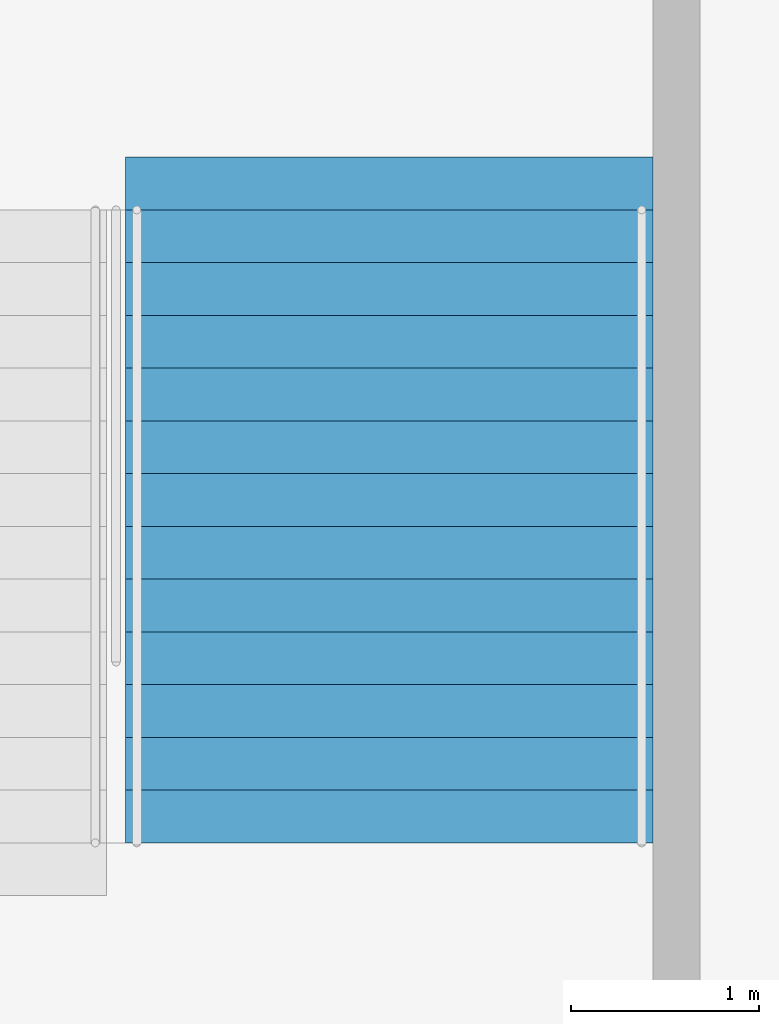
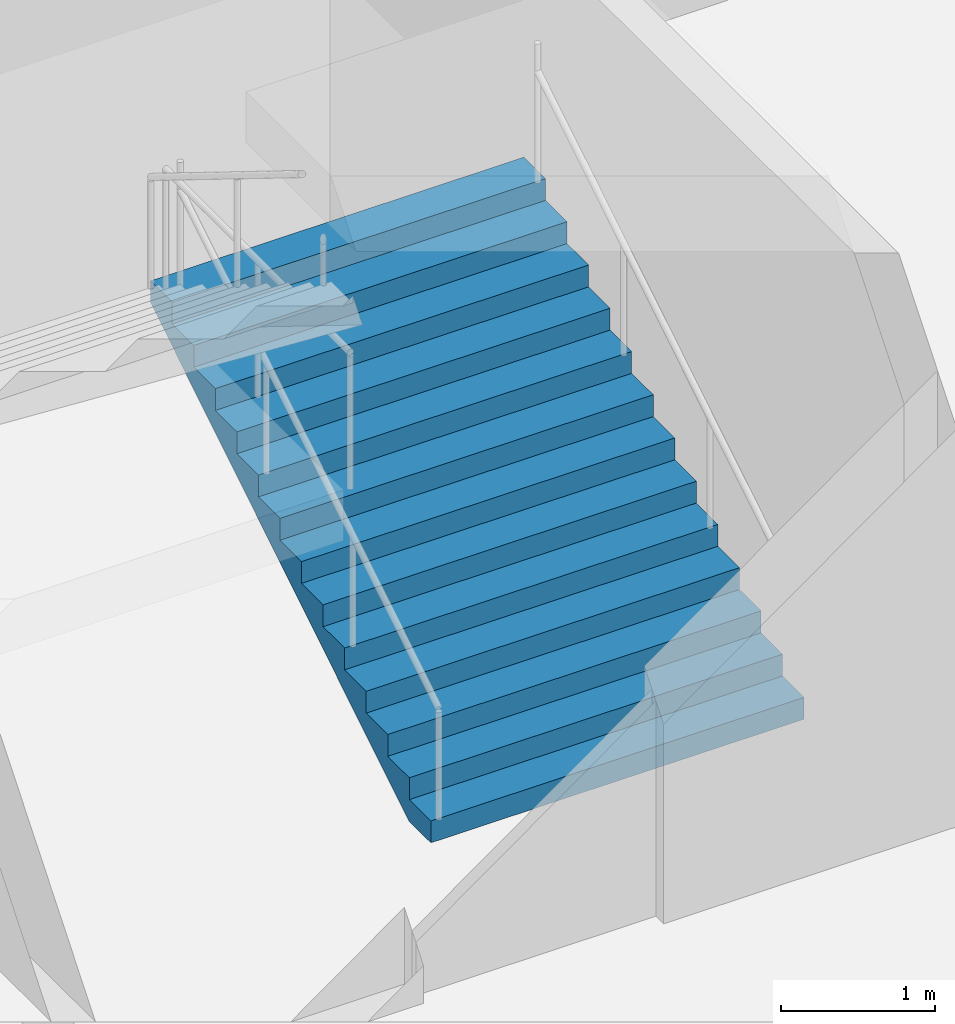
# One storey, part 135 of 175: 1 stair flight, 1 element without a shape of its own.
"""IFC4 building model written with IfcOpenShell, lengths in metres."""

from ifc_helpers import new_model, si_unit, direction, frame, origin, place, context, subcontext, project, spatial, faceted_brep, material, type_object, element, aggregate, save


model = new_model("IFC4")

# Units and contexts
model_context = context("Model", 3, precision=1e-05, world=origin(), true_north=direction((0.0, 1.0)))
body_context = subcontext(model_context, "Body", "Model", "MODEL_VIEW")
ifc_project = project(units=[si_unit("LENGTHUNIT", "METRE"), si_unit("AREAUNIT", "SQUARE_METRE"), si_unit("VOLUMEUNIT", "CUBIC_METRE"), si_unit("PLANEANGLEUNIT", "RADIAN"), si_unit("MASSUNIT", "GRAM", prefix="KILO")], contexts=[model_context])

# Site, building, storey
site_placement = place(None, origin())
site = spatial("IfcSite", under=ifc_project, at=site_placement, CompositionType="ELEMENT")
building_placement = place(site_placement, origin())
building = spatial("IfcBuilding", under=site, at=building_placement, Name="Ogive Plaza Stadium", CompositionType="ELEMENT")
storey_placement = place(building_placement, origin())
storey = spatial("IfcBuildingStorey", under=building, at=storey_placement, Name="L00", CompositionType="ELEMENT", Elevation=0.0)

# Stair, stair flight
ifc_material_1 = material(Name="Concrete C40/50", Category="concrete")
stair_type = type_object("IfcStairType", Name="Exit stair", PredefinedType="STRAIGHT_RUN_STAIR", material=ifc_material_1)
stair_placement = place(storey_placement, origin())
stair = element("IfcStair", 1, at=stair_placement, inside=storey, type_object=stair_type, Name="Exit stair ST34A L00 to L01", PredefinedType="STRAIGHT_RUN_STAIR")
ifc_material_2 = material(Name="Concrete C40/50", Category="concrete")
stair_flight_type = type_object("IfcStairFlightType", Name="Exit stair flight", PredefinedType="STRAIGHT", material=ifc_material_2)
stair_flight_placement = place(storey_placement, frame((-2.375, 94.85009765625, 0.0), z_axis=(0.0, 0.0, 1.0), x_axis=(0.0, 1.0, 0.0)))
stair_flight = element("IfcStairFlight", 2, at=stair_flight_placement, type_object=stair_flight_type, Name="ST34A flight 1", NumberOfRisers=13, NumberOfTreads=12, PredefinedType="STRAIGHT", RiserHeight=0.173076923, TreadLength=0.28, context=body_context, shape_type="Brep", body=[
    faceted_brep([(0.28515625, -1.39990234375, 0.0), (3.639892578125, -1.39990234375, 2.07373046875), (3.639892578125, -1.39990234375, 2.25), (3.360107421875, -1.39990234375, 2.25), (3.360107421875, -1.39990234375, 2.076904296875), (3.080078125, -1.39990234375, 2.076904296875), (3.080078125, -1.39990234375, 1.90380859375), (2.800048828125, -1.39990234375, 1.90380859375), (2.800048828125, -1.39990234375, 1.730712890625), (2.52001953125, -1.39990234375, 1.730712890625), (2.52001953125, -1.39990234375, 1.5576171875), (2.239990234375, -1.39990234375, 1.5576171875), (2.239990234375, -1.39990234375, 1.384521484375), (1.9599609375, -1.39990234375, 1.384521484375), (1.9599609375, -1.39990234375, 1.21142578125), (1.679931640625, -1.39990234375, 1.21142578125), (1.679931640625, -1.39990234375, 1.03857421875), (1.39990234375, -1.39990234375, 1.03857421875), (1.39990234375, -1.39990234375, 0.865478515625), (1.1201171875, -1.39990234375, 0.865478515625), (1.1201171875, -1.39990234375, 0.6923828125), (0.840087890625, -1.39990234375, 0.6923828125), (0.840087890625, -1.39990234375, 0.519287109375), (0.56005859375, -1.39990234375, 0.519287109375), (0.56005859375, -1.39990234375, 0.34619140625), (0.280029296875, -1.39990234375, 0.34619140625), (0.280029296875, -1.39990234375, 0.173095703125), (0.0, -1.39990234375, 0.173095703125), (0.0, -1.39990234375, 0.0), (0.0, 1.39990234375, 0.0), (0.0, 1.39990234375, 0.173095703125), (0.280029296875, 1.39990234375, 0.173095703125), (0.280029296875, 1.39990234375, 0.34619140625), (0.56005859375, 1.39990234375, 0.34619140625), (0.56005859375, 1.39990234375, 0.519287109375), (0.840087890625, 1.39990234375, 0.519287109375), (0.840087890625, 1.39990234375, 0.6923828125), (1.1201171875, 1.39990234375, 0.6923828125), (1.1201171875, 1.39990234375, 0.865478515625), (1.39990234375, 1.39990234375, 0.865478515625), (1.39990234375, 1.39990234375, 1.03857421875), (1.679931640625, 1.39990234375, 1.03857421875), (1.679931640625, 1.39990234375, 1.21142578125), (1.9599609375, 1.39990234375, 1.21142578125), (1.9599609375, 1.39990234375, 1.384521484375), (2.239990234375, 1.39990234375, 1.384521484375), (2.239990234375, 1.39990234375, 1.5576171875), (2.52001953125, 1.39990234375, 1.5576171875), (2.52001953125, 1.39990234375, 1.730712890625), (2.800048828125, 1.39990234375, 1.730712890625), (2.800048828125, 1.39990234375, 1.90380859375), (3.080078125, 1.39990234375, 1.90380859375), (3.080078125, 1.39990234375, 2.076904296875), (3.360107421875, 1.39990234375, 2.076904296875), (3.360107421875, 1.39990234375, 2.25), (3.639892578125, 1.39990234375, 2.25), (3.639892578125, 1.39990234375, 2.07373046875), (0.28515625, 1.39990234375, 0.0), (0.28515625, -1.0888671875, 0.0), (3.639892578125, -1.0888671875, 2.07373046875), (0.28515625, -0.77783203125, 0.0), (3.639892578125, -0.77783203125, 2.07373046875), (0.28515625, -0.466796875, 0.0), (3.639892578125, -0.466796875, 2.07373046875), (0.28515625, -0.155517578125, 0.0), (3.639892578125, -0.155517578125, 2.07373046875), (0.28515625, 0.155517578125, 0.0), (3.639892578125, 0.155517578125, 2.07373046875), (0.28515625, 0.466796875, 0.0), (3.639892578125, 0.466796875, 2.07373046875), (0.28515625, 0.77783203125, 0.0), (3.639892578125, 0.77783203125, 2.07373046875), (0.28515625, 1.0888671875, 0.0), (3.639892578125, 1.0888671875, 2.07373046875), (3.639892578125, -1.0888671875, 2.25), (3.639892578125, -0.77783203125, 2.25), (3.639892578125, -0.466796875, 2.25), (3.639892578125, -0.155517578125, 2.25), (3.639892578125, 0.155517578125, 2.25), (3.639892578125, 0.466796875, 2.25), (3.639892578125, 0.77783203125, 2.25), (3.639892578125, 1.0888671875, 2.25), (3.360107421875, -1.0888671875, 2.25), (3.360107421875, -0.77783203125, 2.25), (3.360107421875, -0.466796875, 2.25), (3.360107421875, -0.155517578125, 2.25), (3.360107421875, 0.155517578125, 2.25), (3.360107421875, 0.466796875, 2.25), (3.360107421875, 0.77783203125, 2.25), (3.360107421875, 1.0888671875, 2.25), (3.360107421875, -1.0888671875, 2.076904296875), (3.360107421875, -0.77783203125, 2.076904296875), (3.360107421875, -0.466796875, 2.076904296875), (3.360107421875, -0.155517578125, 2.076904296875), (3.360107421875, 0.155517578125, 2.076904296875), (3.360107421875, 0.466796875, 2.076904296875), (3.360107421875, 0.77783203125, 2.076904296875), (3.360107421875, 1.0888671875, 2.076904296875), (3.080078125, -1.0888671875, 2.076904296875), (3.080078125, -0.77783203125, 2.076904296875), (3.080078125, -0.466796875, 2.076904296875), (3.080078125, -0.155517578125, 2.076904296875), (3.080078125, 0.155517578125, 2.076904296875), (3.080078125, 0.466796875, 2.076904296875), (3.080078125, 0.77783203125, 2.076904296875), (3.080078125, 1.0888671875, 2.076904296875), (3.080078125, -1.0888671875, 1.90380859375), (3.080078125, -0.77783203125, 1.90380859375), (3.080078125, -0.466796875, 1.90380859375), (3.080078125, -0.155517578125, 1.90380859375), (3.080078125, 0.155517578125, 1.90380859375), (3.080078125, 0.466796875, 1.90380859375), (3.080078125, 0.77783203125, 1.90380859375), (3.080078125, 1.0888671875, 1.90380859375), (2.800048828125, -1.0888671875, 1.90380859375), (2.800048828125, -0.77783203125, 1.90380859375), (2.800048828125, -0.466796875, 1.90380859375), (2.800048828125, -0.155517578125, 1.90380859375), (2.800048828125, 0.155517578125, 1.90380859375), (2.800048828125, 0.466796875, 1.90380859375), (2.800048828125, 0.77783203125, 1.90380859375), (2.800048828125, 1.0888671875, 1.90380859375), (2.800048828125, -1.0888671875, 1.730712890625), (2.800048828125, -0.77783203125, 1.730712890625), (2.800048828125, -0.466796875, 1.730712890625), (2.800048828125, -0.155517578125, 1.730712890625), (2.800048828125, 0.155517578125, 1.730712890625), (2.800048828125, 0.466796875, 1.730712890625), (2.800048828125, 0.77783203125, 1.730712890625), (2.800048828125, 1.0888671875, 1.730712890625), (2.52001953125, -1.0888671875, 1.730712890625), (2.52001953125, -0.77783203125, 1.730712890625), (2.52001953125, -0.466796875, 1.730712890625), (2.52001953125, -0.155517578125, 1.730712890625), (2.52001953125, 0.155517578125, 1.730712890625), (2.52001953125, 0.466796875, 1.730712890625), (2.52001953125, 0.77783203125, 1.730712890625), (2.52001953125, 1.0888671875, 1.730712890625), (2.52001953125, -1.0888671875, 1.5576171875), (2.52001953125, -0.77783203125, 1.5576171875), (2.52001953125, -0.466796875, 1.5576171875), (2.52001953125, -0.155517578125, 1.5576171875), (2.52001953125, 0.155517578125, 1.5576171875), (2.52001953125, 0.466796875, 1.5576171875), (2.52001953125, 0.77783203125, 1.5576171875), (2.52001953125, 1.0888671875, 1.5576171875), (2.239990234375, -1.0888671875, 1.5576171875), (2.239990234375, -0.77783203125, 1.5576171875), (2.239990234375, -0.466796875, 1.5576171875), (2.239990234375, -0.155517578125, 1.5576171875), (2.239990234375, 0.155517578125, 1.5576171875), (2.239990234375, 0.466796875, 1.5576171875), (2.239990234375, 0.77783203125, 1.5576171875), (2.239990234375, 1.0888671875, 1.5576171875), (2.239990234375, -1.0888671875, 1.384521484375), (2.239990234375, -0.77783203125, 1.384521484375), (2.239990234375, -0.466796875, 1.384521484375), (2.239990234375, -0.155517578125, 1.384521484375), (2.239990234375, 0.155517578125, 1.384521484375), (2.239990234375, 0.466796875, 1.384521484375), (2.239990234375, 0.77783203125, 1.384521484375), (2.239990234375, 1.0888671875, 1.384521484375), (1.9599609375, -1.0888671875, 1.384521484375), (1.9599609375, -0.77783203125, 1.384521484375), (1.9599609375, -0.466796875, 1.384521484375), (1.9599609375, -0.155517578125, 1.384521484375), (1.9599609375, 0.155517578125, 1.384521484375), (1.9599609375, 0.466796875, 1.384521484375), (1.9599609375, 0.77783203125, 1.384521484375), (1.9599609375, 1.0888671875, 1.384521484375), (1.9599609375, -1.0888671875, 1.21142578125), (1.9599609375, -0.77783203125, 1.21142578125), (1.9599609375, -0.466796875, 1.21142578125), (1.9599609375, -0.155517578125, 1.21142578125), (1.9599609375, 0.155517578125, 1.21142578125), (1.9599609375, 0.466796875, 1.21142578125), (1.9599609375, 0.77783203125, 1.21142578125), (1.9599609375, 1.0888671875, 1.21142578125), (1.679931640625, -1.0888671875, 1.21142578125), (1.679931640625, -0.77783203125, 1.21142578125), (1.679931640625, -0.466796875, 1.21142578125), (1.679931640625, -0.155517578125, 1.21142578125), (1.679931640625, 0.155517578125, 1.21142578125), (1.679931640625, 0.466796875, 1.21142578125), (1.679931640625, 0.77783203125, 1.21142578125), (1.679931640625, 1.0888671875, 1.21142578125), (1.679931640625, -1.0888671875, 1.03857421875), (1.679931640625, -0.77783203125, 1.03857421875), (1.679931640625, -0.466796875, 1.03857421875), (1.679931640625, -0.155517578125, 1.03857421875), (1.679931640625, 0.155517578125, 1.03857421875), (1.679931640625, 0.466796875, 1.03857421875), (1.679931640625, 0.77783203125, 1.03857421875), (1.679931640625, 1.0888671875, 1.03857421875), (1.39990234375, -1.0888671875, 1.03857421875), (1.39990234375, -0.77783203125, 1.03857421875), (1.39990234375, -0.466796875, 1.03857421875), (1.39990234375, -0.155517578125, 1.03857421875), (1.39990234375, 0.155517578125, 1.03857421875), (1.39990234375, 0.466796875, 1.03857421875), (1.39990234375, 0.77783203125, 1.03857421875), (1.39990234375, 1.0888671875, 1.03857421875), (1.39990234375, -1.0888671875, 0.865478515625), (1.39990234375, -0.77783203125, 0.865478515625), (1.39990234375, -0.466796875, 0.865478515625), (1.39990234375, -0.155517578125, 0.865478515625), (1.39990234375, 0.155517578125, 0.865478515625), (1.39990234375, 0.466796875, 0.865478515625), (1.39990234375, 0.77783203125, 0.865478515625), (1.39990234375, 1.0888671875, 0.865478515625), (1.1201171875, -1.0888671875, 0.865478515625), (1.1201171875, -0.77783203125, 0.865478515625), (1.1201171875, -0.466796875, 0.865478515625), (1.1201171875, -0.155517578125, 0.865478515625), (1.1201171875, 0.155517578125, 0.865478515625), (1.1201171875, 0.466796875, 0.865478515625), (1.1201171875, 0.77783203125, 0.865478515625), (1.1201171875, 1.0888671875, 0.865478515625), (1.1201171875, -1.0888671875, 0.6923828125), (1.1201171875, -0.77783203125, 0.6923828125), (1.1201171875, -0.466796875, 0.6923828125), (1.1201171875, -0.155517578125, 0.6923828125), (1.1201171875, 0.155517578125, 0.6923828125), (1.1201171875, 0.466796875, 0.6923828125), (1.1201171875, 0.77783203125, 0.6923828125), (1.1201171875, 1.0888671875, 0.6923828125), (0.840087890625, -1.0888671875, 0.6923828125), (0.840087890625, -0.77783203125, 0.6923828125), (0.840087890625, -0.466796875, 0.6923828125), (0.840087890625, -0.155517578125, 0.6923828125), (0.840087890625, 0.155517578125, 0.6923828125), (0.840087890625, 0.466796875, 0.6923828125), (0.840087890625, 0.77783203125, 0.6923828125), (0.840087890625, 1.0888671875, 0.6923828125), (0.840087890625, -1.0888671875, 0.519287109375), (0.840087890625, -0.77783203125, 0.519287109375), (0.840087890625, -0.466796875, 0.519287109375), (0.840087890625, -0.155517578125, 0.519287109375), (0.840087890625, 0.155517578125, 0.519287109375), (0.840087890625, 0.466796875, 0.519287109375), (0.840087890625, 0.77783203125, 0.519287109375), (0.840087890625, 1.0888671875, 0.519287109375), (0.56005859375, -1.0888671875, 0.519287109375), (0.56005859375, -0.77783203125, 0.519287109375), (0.56005859375, -0.466796875, 0.519287109375), (0.56005859375, -0.155517578125, 0.519287109375), (0.56005859375, 0.155517578125, 0.519287109375), (0.56005859375, 0.466796875, 0.519287109375), (0.56005859375, 0.77783203125, 0.519287109375), (0.56005859375, 1.0888671875, 0.519287109375), (0.56005859375, -1.0888671875, 0.34619140625), (0.56005859375, -0.77783203125, 0.34619140625), (0.56005859375, -0.466796875, 0.34619140625), (0.56005859375, -0.155517578125, 0.34619140625), (0.56005859375, 0.155517578125, 0.34619140625), (0.56005859375, 0.466796875, 0.34619140625), (0.56005859375, 0.77783203125, 0.34619140625), (0.56005859375, 1.0888671875, 0.34619140625), (0.280029296875, -1.0888671875, 0.34619140625), (0.280029296875, -0.77783203125, 0.34619140625), (0.280029296875, -0.466796875, 0.34619140625), (0.280029296875, -0.155517578125, 0.34619140625), (0.280029296875, 0.155517578125, 0.34619140625), (0.280029296875, 0.466796875, 0.34619140625), (0.280029296875, 0.77783203125, 0.34619140625), (0.280029296875, 1.0888671875, 0.34619140625), (0.280029296875, -1.0888671875, 0.173095703125), (0.280029296875, -0.77783203125, 0.173095703125), (0.280029296875, -0.466796875, 0.173095703125), (0.280029296875, -0.155517578125, 0.173095703125), (0.280029296875, 0.155517578125, 0.173095703125), (0.280029296875, 0.466796875, 0.173095703125), (0.280029296875, 0.77783203125, 0.173095703125), (0.280029296875, 1.0888671875, 0.173095703125), (0.0, -1.0888671875, 0.173095703125), (0.0, -0.77783203125, 0.173095703125), (0.0, -0.466796875, 0.173095703125), (0.0, -0.155517578125, 0.173095703125), (0.0, 0.155517578125, 0.173095703125), (0.0, 0.466796875, 0.173095703125), (0.0, 0.77783203125, 0.173095703125), (0.0, 1.0888671875, 0.173095703125), (0.0, -1.0888671875, 0.0), (0.0, -0.77783203125, 0.0), (0.0, -0.466796875, 0.0), (0.0, -0.155517578125, 0.0), (0.0, 0.155517578125, 0.0), (0.0, 0.466796875, 0.0), (0.0, 0.77783203125, 0.0), (0.0, 1.0888671875, 0.0)], [[[0, 1, 2, 3, 4, 5, 6, 7, 8, 9, 10, 11, 12, 13, 14, 15, 16, 17, 18, 19, 20, 21, 22, 23, 24, 25, 26, 27, 28]], [[29, 30, 31, 32, 33, 34, 35, 36, 37, 38, 39, 40, 41, 42, 43, 44, 45, 46, 47, 48, 49, 50, 51, 52, 53, 54, 55, 56, 57]], [[0, 58, 59, 1]], [[58, 60, 61, 59]], [[60, 62, 63, 61]], [[62, 64, 65, 63]], [[64, 66, 67, 65]], [[66, 68, 69, 67]], [[68, 70, 71, 69]], [[70, 72, 73, 71]], [[72, 57, 56, 73]], [[1, 59, 74, 2]], [[59, 61, 75, 74]], [[61, 63, 76, 75]], [[63, 65, 77, 76]], [[65, 67, 78, 77]], [[67, 69, 79, 78]], [[69, 71, 80, 79]], [[71, 73, 81, 80]], [[73, 56, 55, 81]], [[2, 74, 82, 3]], [[74, 75, 83, 82]], [[75, 76, 84, 83]], [[76, 77, 85, 84]], [[77, 78, 86, 85]], [[78, 79, 87, 86]], [[79, 80, 88, 87]], [[80, 81, 89, 88]], [[81, 55, 54, 89]], [[3, 82, 90, 4]], [[82, 83, 91, 90]], [[83, 84, 92, 91]], [[84, 85, 93, 92]], [[85, 86, 94, 93]], [[86, 87, 95, 94]], [[87, 88, 96, 95]], [[88, 89, 97, 96]], [[89, 54, 53, 97]], [[4, 90, 98, 5]], [[90, 91, 99, 98]], [[91, 92, 100, 99]], [[92, 93, 101, 100]], [[93, 94, 102, 101]], [[94, 95, 103, 102]], [[95, 96, 104, 103]], [[96, 97, 105, 104]], [[97, 53, 52, 105]], [[5, 98, 106, 6]], [[98, 99, 107, 106]], [[99, 100, 108, 107]], [[100, 101, 109, 108]], [[101, 102, 110, 109]], [[102, 103, 111, 110]], [[103, 104, 112, 111]], [[104, 105, 113, 112]], [[105, 52, 51, 113]], [[6, 106, 114, 7]], [[106, 107, 115, 114]], [[107, 108, 116, 115]], [[108, 109, 117, 116]], [[109, 110, 118, 117]], [[110, 111, 119, 118]], [[111, 112, 120, 119]], [[112, 113, 121, 120]], [[113, 51, 50, 121]], [[7, 114, 122, 8]], [[114, 115, 123, 122]], [[115, 116, 124, 123]], [[116, 117, 125, 124]], [[117, 118, 126, 125]], [[118, 119, 127, 126]], [[119, 120, 128, 127]], [[120, 121, 129, 128]], [[121, 50, 49, 129]], [[8, 122, 130, 9]], [[122, 123, 131, 130]], [[123, 124, 132, 131]], [[124, 125, 133, 132]], [[125, 126, 134, 133]], [[126, 127, 135, 134]], [[127, 128, 136, 135]], [[128, 129, 137, 136]], [[129, 49, 48, 137]], [[9, 130, 138, 10]], [[130, 131, 139, 138]], [[131, 132, 140, 139]], [[132, 133, 141, 140]], [[133, 134, 142, 141]], [[134, 135, 143, 142]], [[135, 136, 144, 143]], [[136, 137, 145, 144]], [[137, 48, 47, 145]], [[10, 138, 146, 11]], [[138, 139, 147, 146]], [[139, 140, 148, 147]], [[140, 141, 149, 148]], [[141, 142, 150, 149]], [[142, 143, 151, 150]], [[143, 144, 152, 151]], [[144, 145, 153, 152]], [[145, 47, 46, 153]], [[11, 146, 154, 12]], [[146, 147, 155, 154]], [[147, 148, 156, 155]], [[148, 149, 157, 156]], [[149, 150, 158, 157]], [[150, 151, 159, 158]], [[151, 152, 160, 159]], [[152, 153, 161, 160]], [[153, 46, 45, 161]], [[12, 154, 162, 13]], [[154, 155, 163, 162]], [[155, 156, 164, 163]], [[156, 157, 165, 164]], [[157, 158, 166, 165]], [[158, 159, 167, 166]], [[159, 160, 168, 167]], [[160, 161, 169, 168]], [[161, 45, 44, 169]], [[13, 162, 170, 14]], [[162, 163, 171, 170]], [[163, 164, 172, 171]], [[164, 165, 173, 172]], [[165, 166, 174, 173]], [[166, 167, 175, 174]], [[167, 168, 176, 175]], [[168, 169, 177, 176]], [[169, 44, 43, 177]], [[14, 170, 178, 15]], [[170, 171, 179, 178]], [[171, 172, 180, 179]], [[172, 173, 181, 180]], [[173, 174, 182, 181]], [[174, 175, 183, 182]], [[175, 176, 184, 183]], [[176, 177, 185, 184]], [[177, 43, 42, 185]], [[15, 178, 186, 16]], [[178, 179, 187, 186]], [[179, 180, 188, 187]], [[180, 181, 189, 188]], [[181, 182, 190, 189]], [[182, 183, 191, 190]], [[183, 184, 192, 191]], [[184, 185, 193, 192]], [[185, 42, 41, 193]], [[16, 186, 194, 17]], [[186, 187, 195, 194]], [[187, 188, 196, 195]], [[188, 189, 197, 196]], [[189, 190, 198, 197]], [[190, 191, 199, 198]], [[191, 192, 200, 199]], [[192, 193, 201, 200]], [[193, 41, 40, 201]], [[17, 194, 202, 18]], [[194, 195, 203, 202]], [[195, 196, 204, 203]], [[196, 197, 205, 204]], [[197, 198, 206, 205]], [[198, 199, 207, 206]], [[199, 200, 208, 207]], [[200, 201, 209, 208]], [[201, 40, 39, 209]], [[18, 202, 210, 19]], [[202, 203, 211, 210]], [[203, 204, 212, 211]], [[204, 205, 213, 212]], [[205, 206, 214, 213]], [[206, 207, 215, 214]], [[207, 208, 216, 215]], [[208, 209, 217, 216]], [[209, 39, 38, 217]], [[19, 210, 218, 20]], [[210, 211, 219, 218]], [[211, 212, 220, 219]], [[212, 213, 221, 220]], [[213, 214, 222, 221]], [[214, 215, 223, 222]], [[215, 216, 224, 223]], [[216, 217, 225, 224]], [[217, 38, 37, 225]], [[20, 218, 226, 21]], [[218, 219, 227, 226]], [[219, 220, 228, 227]], [[220, 221, 229, 228]], [[221, 222, 230, 229]], [[222, 223, 231, 230]], [[223, 224, 232, 231]], [[224, 225, 233, 232]], [[225, 37, 36, 233]], [[21, 226, 234, 22]], [[226, 227, 235, 234]], [[227, 228, 236, 235]], [[228, 229, 237, 236]], [[229, 230, 238, 237]], [[230, 231, 239, 238]], [[231, 232, 240, 239]], [[232, 233, 241, 240]], [[233, 36, 35, 241]], [[22, 234, 242, 23]], [[234, 235, 243, 242]], [[235, 236, 244, 243]], [[236, 237, 245, 244]], [[237, 238, 246, 245]], [[238, 239, 247, 246]], [[239, 240, 248, 247]], [[240, 241, 249, 248]], [[241, 35, 34, 249]], [[23, 242, 250, 24]], [[242, 243, 251, 250]], [[243, 244, 252, 251]], [[244, 245, 253, 252]], [[245, 246, 254, 253]], [[246, 247, 255, 254]], [[247, 248, 256, 255]], [[248, 249, 257, 256]], [[249, 34, 33, 257]], [[24, 250, 258, 25]], [[250, 251, 259, 258]], [[251, 252, 260, 259]], [[252, 253, 261, 260]], [[253, 254, 262, 261]], [[254, 255, 263, 262]], [[255, 256, 264, 263]], [[256, 257, 265, 264]], [[257, 33, 32, 265]], [[25, 258, 266, 26]], [[258, 259, 267, 266]], [[259, 260, 268, 267]], [[260, 261, 269, 268]], [[261, 262, 270, 269]], [[262, 263, 271, 270]], [[263, 264, 272, 271]], [[264, 265, 273, 272]], [[265, 32, 31, 273]], [[26, 266, 274, 27]], [[266, 267, 275, 274]], [[267, 268, 276, 275]], [[268, 269, 277, 276]], [[269, 270, 278, 277]], [[270, 271, 279, 278]], [[271, 272, 280, 279]], [[272, 273, 281, 280]], [[273, 31, 30, 281]], [[27, 274, 282, 28]], [[274, 275, 283, 282]], [[275, 276, 284, 283]], [[276, 277, 285, 284]], [[277, 278, 286, 285]], [[278, 279, 287, 286]], [[279, 280, 288, 287]], [[280, 281, 289, 288]], [[281, 30, 29, 289]], [[28, 282, 58, 0]], [[282, 283, 60, 58]], [[283, 284, 62, 60]], [[284, 285, 64, 62]], [[285, 286, 66, 64]], [[286, 287, 68, 66]], [[287, 288, 70, 68]], [[288, 289, 72, 70]], [[289, 29, 57, 72]]]),
])
aggregate(stair, [stair_flight])

save(model, "model.ifc")
